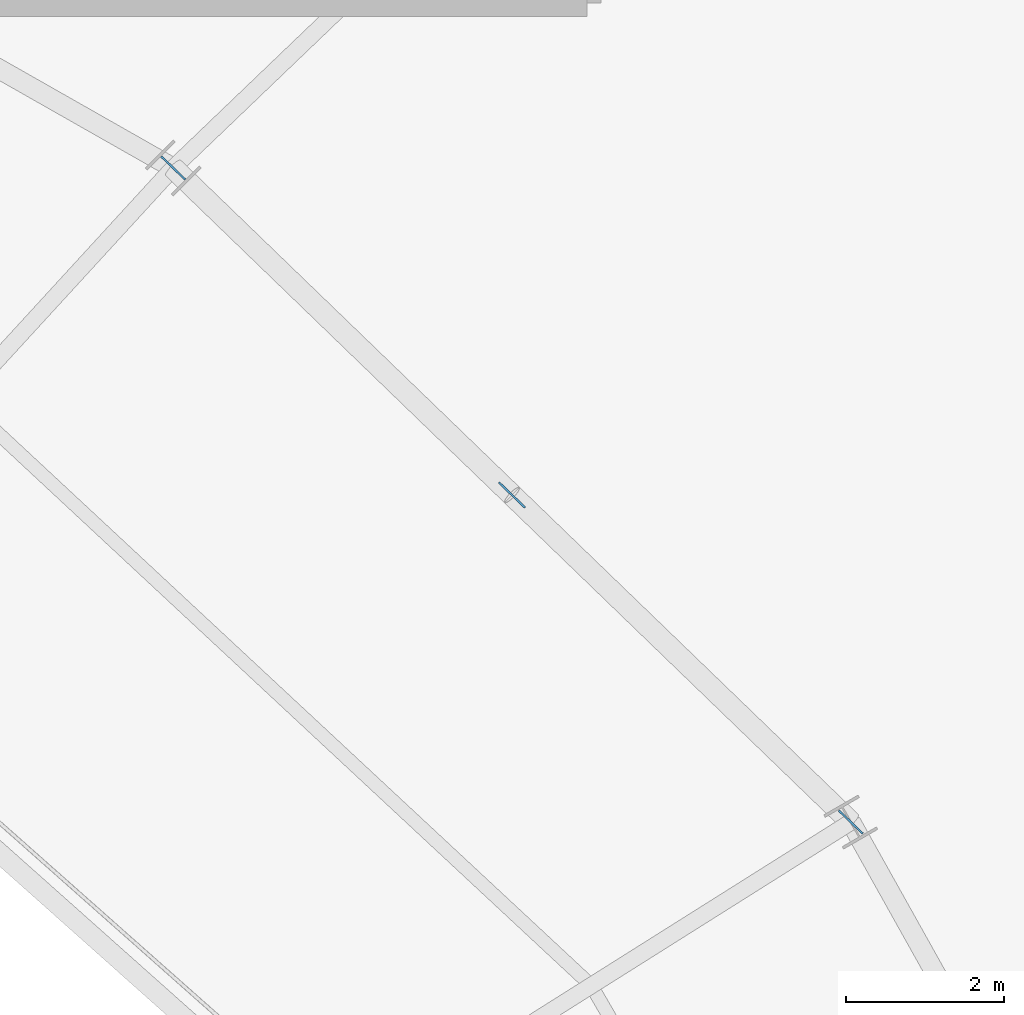
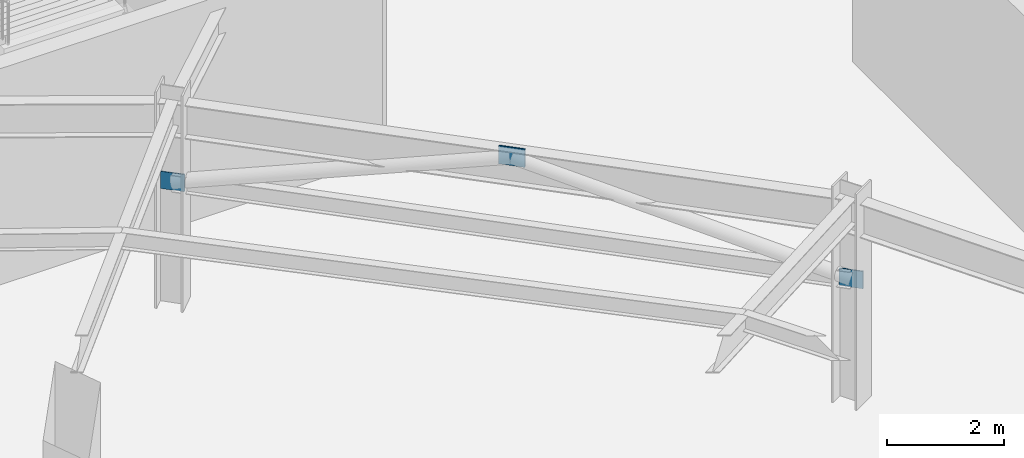
# One storey, part 73 of 107: 3 plates.
"""IFC4 building model written with IfcOpenShell, lengths in metres."""

import ifcopenshell
import ifcopenshell.guid

model = None  # the IFC model being written
_history = None  # IfcOwnerHistory: only IFC2X3 demands one
_inside = {}  # id of a spatial element -> (the spatial element, [elements in it])
_under = {}  # id of a project, library or spatial element -> (it, [spatial elements below it])
_declared = {}  # id of a project -> (the project, [libraries it declares])
_typed = {}  # id of a type object -> (the type object, [elements of that type])
_made_of = {}  # id of a material, layer set ... -> (it, [elements and type objects made of it])


def new_model(schema):
    """Start an empty IFC model of exactly this schema.

    Asked for "IFC4X3", IfcOpenShell would pick the latest addendum, in which some entities
    have other attributes; the version numbers below select the first issue.
    IFC2X3 requires an IfcOwnerHistory on every rooted entity: one is made here for all.
    """
    global model, _history
    if schema == "IFC4X3":
        model = ifcopenshell.file(schema_version=(4, 3, 0, 0))
    else:
        model = ifcopenshell.file(schema=schema)
    _inside.clear()
    _under.clear()
    _declared.clear()
    _typed.clear()
    _made_of.clear()
    _history = None
    if model.schema == "IFC2X3":
        org = make("IfcOrganization", Name="unknown")
        user = make(
            "IfcPersonAndOrganization",
            ThePerson=make("IfcPerson", FamilyName="unknown"),
            TheOrganization=org,
        )
        app = make(
            "IfcApplication",
            ApplicationDeveloper=org,
            Version="unknown",
            ApplicationFullName="unknown",
            ApplicationIdentifier="unknown",
        )
        _history = make(
            "IfcOwnerHistory",
            OwningUser=user,
            OwningApplication=app,
            ChangeAction="ADDED",
            CreationDate=0,
        )
    return model


def make(cls, **values):
    """One entity of the class cls with the attributes given. An attribute that is None is left unset."""
    return model.create_entity(
        cls, **{name: value for name, value in values.items() if value is not None}
    )


def rooted(cls, **values):
    """An entity with a GlobalId (a new one), such as an element, a storey or a relation."""
    return make(cls, GlobalId=ifcopenshell.guid.new(), OwnerHistory=_history, **values)


def si_unit(unit_type, name, prefix=None):
    """IfcSIUnit, for example si_unit("LENGTHUNIT", "METRE", prefix="MILLI")."""
    return make("IfcSIUnit", UnitType=unit_type, Prefix=prefix, Name=name)


def assignment(units):
    """IfcUnitAssignment: the units of a project."""
    return None if units is None else make("IfcUnitAssignment", Units=units)


def point(xyz):
    """IfcCartesianPoint."""
    return None if xyz is None else make("IfcCartesianPoint", Coordinates=xyz)


def direction(xyz):
    """IfcDirection."""
    return None if xyz is None else make("IfcDirection", DirectionRatios=xyz)


def frame(location, z_axis=None, x_axis=None):
    """IfcAxis2Placement3D, a coordinate frame: its origin and axes. An axis left out is left unset."""
    return make(
        "IfcAxis2Placement3D",
        Location=point(location),
        Axis=direction(z_axis),
        RefDirection=direction(x_axis),
    )


def frame_2d(location, x_axis=None):
    """IfcAxis2Placement2D, a coordinate frame in the plane: its origin and x axis."""
    return make(
        "IfcAxis2Placement2D", Location=point(location), RefDirection=direction(x_axis)
    )


def origin():
    """The frame at (0, 0, 0) with its axes left unset."""
    return frame((0.0, 0.0, 0.0))


def origin_2d():
    """The frame at (0, 0) in the plane with its x axis left unset."""
    return frame_2d((0.0, 0.0))


def place(relative_to, where):
    """IfcLocalPlacement: puts the frame where relative to a parent placement (None: the world)."""
    return make(
        "IfcLocalPlacement", PlacementRelTo=relative_to, RelativePlacement=where
    )


def context(
    kind, dimensions, precision=None, world=None, true_north=None, identifier=None
):
    """IfcGeometricRepresentationContext, for example the 3D "Model" context."""
    return make(
        "IfcGeometricRepresentationContext",
        ContextIdentifier=identifier,
        ContextType=kind,
        CoordinateSpaceDimension=dimensions,
        Precision=precision,
        WorldCoordinateSystem=world,
        TrueNorth=true_north,
    )


def subcontext(parent, identifier, kind, view, scale=None):
    """IfcGeometricRepresentationSubContext, for example "Body" below "Model"."""
    return make(
        "IfcGeometricRepresentationSubContext",
        ContextIdentifier=identifier,
        ContextType=kind,
        ParentContext=parent,
        TargetScale=scale,
        TargetView=view,
    )


def project(units=None, contexts=None):
    """IfcProject with its units and contexts."""
    return rooted(
        "IfcProject",
        Name="project",
        RepresentationContexts=contexts,
        UnitsInContext=assignment(units),
    )


def spatial(cls, under=None, at=None, **own):
    """A site, building, storey or space (cls), placed at a placement, below another one or the project."""
    s = rooted(cls, ObjectPlacement=at, **own)
    if under is not None:
        _under.setdefault(under.id(), (under, []))[1].append(s)
    return s


def profile(cls, at=None, kind="AREA", **sizes):
    """A parametric profile (cls). Its sizes go by their IFC names, for example OverallWidth=200.0."""
    return make(cls, ProfileType=kind, Position=at, **sizes)


def rectangle(**sizes):
    """IfcRectangleProfileDef."""
    return profile("IfcRectangleProfileDef", **sizes)


def extrude(swept, where, along, depth):
    """IfcExtrudedAreaSolid: the profile swept, set in the frame where, extruded along a direction by depth."""
    return make(
        "IfcExtrudedAreaSolid",
        SweptArea=swept,
        Position=where,
        ExtrudedDirection=direction(along),
        Depth=depth,
    )


def shape(context_of_items, identifier, shape_type, items):
    """IfcShapeRepresentation: the items that make up one representation, for example the "Body"."""
    return make(
        "IfcShapeRepresentation",
        ContextOfItems=context_of_items,
        RepresentationIdentifier=identifier,
        RepresentationType=shape_type,
        Items=items,
    )


def material(Name=None, Category=None):
    """IfcMaterial."""
    return make("IfcMaterial", Name=Name, Category=Category)


def layer(
    of_material, thickness, ventilated=None, Name=None, Category=None, Priority=None
):
    """IfcMaterialLayer: one layer of a wall or slab, of a material (None: an air gap)."""
    return make(
        "IfcMaterialLayer",
        Material=of_material,
        LayerThickness=thickness,
        IsVentilated=ventilated,
        Name=Name,
        Category=Category,
        Priority=Priority,
    )


def layer_set(layers, Name=None):
    """IfcMaterialLayerSet."""
    return make("IfcMaterialLayerSet", MaterialLayers=layers, LayerSetName=Name)


def made_of(thing, what):
    """Note that an element or type object is made of a material, layer set ...; save() writes the relation."""
    if what is not None:
        _made_of.setdefault(what.id(), (what, []))[1].append(thing)
    return thing


def type_object(cls, material=None, **own):
    """A type object (cls), such as IfcWallType, which elements share."""
    return made_of(rooted(cls, **own), material)


def element(
    cls,
    number,
    at=None,
    inside=None,
    cuts=None,
    type_object=None,
    material=None,
    context=None,
    identifier="Body",
    shape_type=None,
    held_by="IfcProductDefinitionShape",
    body=None,
    shapes=None,
    **own,
):
    """One element of the class cls, such as IfcWall. Its Tag is "e" and its number.

    at: its placement. inside: the storey or other place that contains it. cuts: it is an
    opening in that element (IfcRelVoidsElement). A single representation is given by context,
    identifier, shape_type and body (its items); several are given by shapes. held_by: the class
    of the entity that holds the representations. save() writes the other relations.
    """
    e = rooted(cls, Tag="e%d" % number, ObjectPlacement=at, **own)
    if body is not None:
        shapes = [shape(context, identifier, shape_type, body)]
    if shapes is not None:
        e.Representation = make(held_by, Representations=shapes)
    if inside is not None:
        _inside.setdefault(inside.id(), (inside, []))[1].append(e)
    if cuts is not None:
        rooted(
            "IfcRelVoidsElement", RelatingBuildingElement=cuts, RelatedOpeningElement=e
        )
    if type_object is not None:
        _typed.setdefault(type_object.id(), (type_object, []))[1].append(e)
    return made_of(e, material)


def aggregate(whole, parts):
    """IfcRelAggregates: a whole, such as a stair, and the parts it consists of."""
    return rooted("IfcRelAggregates", RelatingObject=whole, RelatedObjects=parts)


def save(model, path):
    """Write the relations noted so far, then the file.

    IfcRelAggregates (storeys below a building ...), IfcRelContainedInSpatialStructure (elements
    in a storey), IfcRelDefinesByType, IfcRelAssociatesMaterial and IfcRelDeclares: one each for
    every whole, place, type object, material and project.
    """
    for whole, parts in _under.values():
        aggregate(whole, parts)
    for where, things in _inside.values():
        rooted(
            "IfcRelContainedInSpatialStructure",
            RelatedElements=things,
            RelatingStructure=where,
        )
    for kind, things in _typed.values():
        rooted("IfcRelDefinesByType", RelatedObjects=things, RelatingType=kind)
    for what, things in _made_of.values():
        rooted("IfcRelAssociatesMaterial", RelatedObjects=things, RelatingMaterial=what)
    for by, libraries in _declared.values():
        rooted("IfcRelDeclares", RelatingContext=by, RelatedDefinitions=libraries)
    model.write(path)


model = new_model("IFC4")

# Units and contexts
model_context = context("Model", 3, precision=1e-05, world=origin(), true_north=direction((0.0, 1.0)))
body_context = subcontext(model_context, "Body", "Model", "MODEL_VIEW")
ifc_project = project(units=[si_unit("LENGTHUNIT", "METRE"), si_unit("AREAUNIT", "SQUARE_METRE"), si_unit("VOLUMEUNIT", "CUBIC_METRE"), si_unit("PLANEANGLEUNIT", "RADIAN"), si_unit("MASSUNIT", "GRAM", prefix="KILO")], contexts=[model_context])

# Site, building, storey
site_placement = place(None, origin())
site = spatial("IfcSite", under=ifc_project, at=site_placement, CompositionType="ELEMENT")
building_placement = place(site_placement, origin())
building = spatial("IfcBuilding", under=site, at=building_placement, Name="Kalgoora Escarpment Arena", CompositionType="ELEMENT")
storey_placement = place(building_placement, frame((0.0, 0.0, 5.39990234375)))
storey = spatial("IfcBuildingStorey", under=building, at=storey_placement, Name="L01", CompositionType="ELEMENT", Elevation=5.39990234375)

# Plates
ifc_material = material(Name="Structural steel Grade 350 (350 MPa)", Category="steel")
ifc_layer = layer(ifc_material, 0.02490234375)
ifc_layer_set = layer_set([ifc_layer], Name="PLT-GUSSET-25")
plate_type = type_object("IfcPlateType", Name="PLT-GUSSET-25", PredefinedType="USERDEFINED", material=ifc_layer_set)
plate_placement = place(storey_placement, frame((134.87451171875, 88.14208984375, 3.860107421875), z_axis=(0.0, 0.0, 1.0), x_axis=(-0.719461030139, 0.6945328114, 0.0)))
element("IfcPlate", 1, at=plate_placement, inside=storey, type_object=plate_type, Name="L01 chevron gusset cap plate R03", ObjectType="FLANGE PLATE", PredefinedType="USERDEFINED", context=body_context, shape_type="SweptSolid", body=[
    extrude(rectangle(XDim=0.4599609375, YDim=0.02490234375, at=origin_2d()), origin(), (0.0, 0.0, 1.0), 0.3798828125),
])
for number, where, z_axis, x_axis, name in (
    (2, (139.165283203125, 84.0, 2.33984375), (0.0, 0.0, 1.0), (-0.719339800339, 0.694658370459, 0.0), "Brace and post end gusset plate 009"),
    (3, (130.583740234375, 92.2841796875, 2.33984375), (0.0, 0.0, 1.0), (0.719339800339, -0.694658370459, 0.0), "Brace and post end gusset plate 010"),
):
    element("IfcPlate", number, at=place(storey_placement, frame(where, z_axis=z_axis, x_axis=x_axis)), inside=storey, type_object=plate_type, Name=name, ObjectType="FLANGE PLATE", PredefinedType="USERDEFINED", context=body_context, shape_type="SweptSolid", body=[
        extrude(rectangle(XDim=0.419921875, YDim=0.02490234375, at=origin_2d()), origin(), (0.0, 0.0, 1.0), 0.360107421875),
    ])

save(model, "model.ifc")
